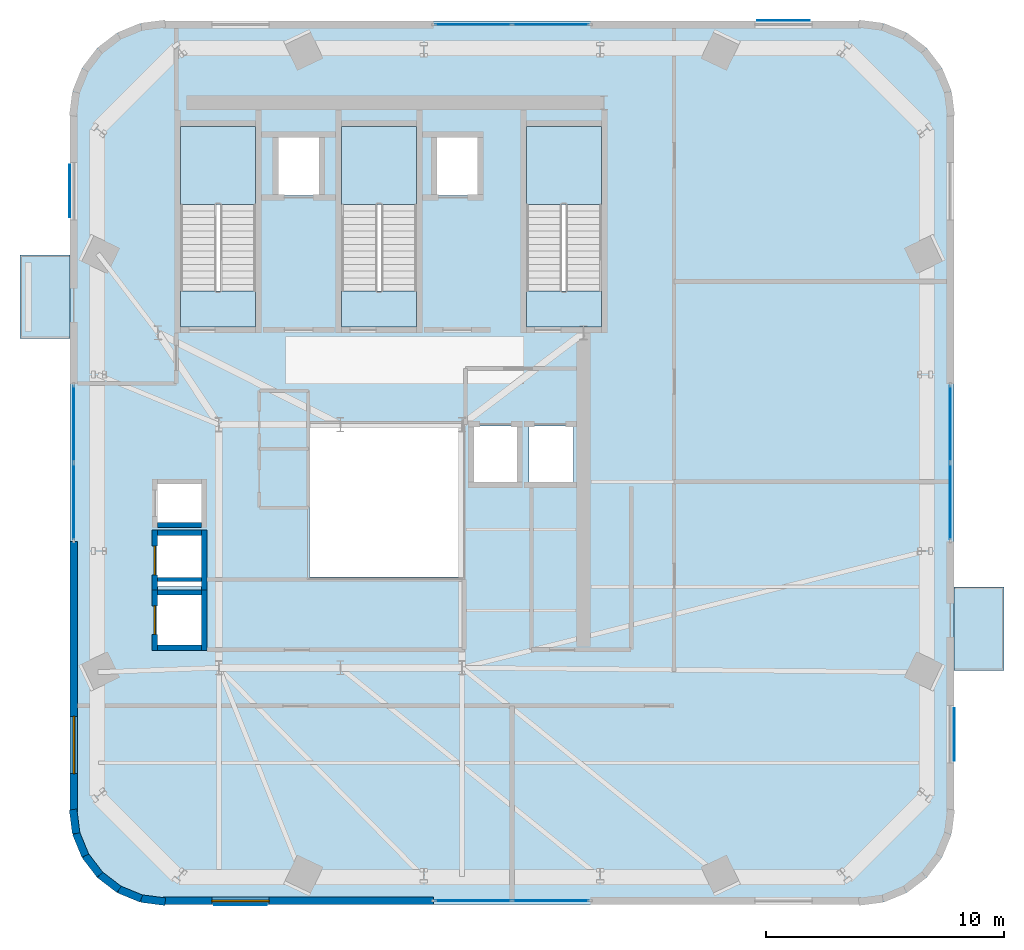
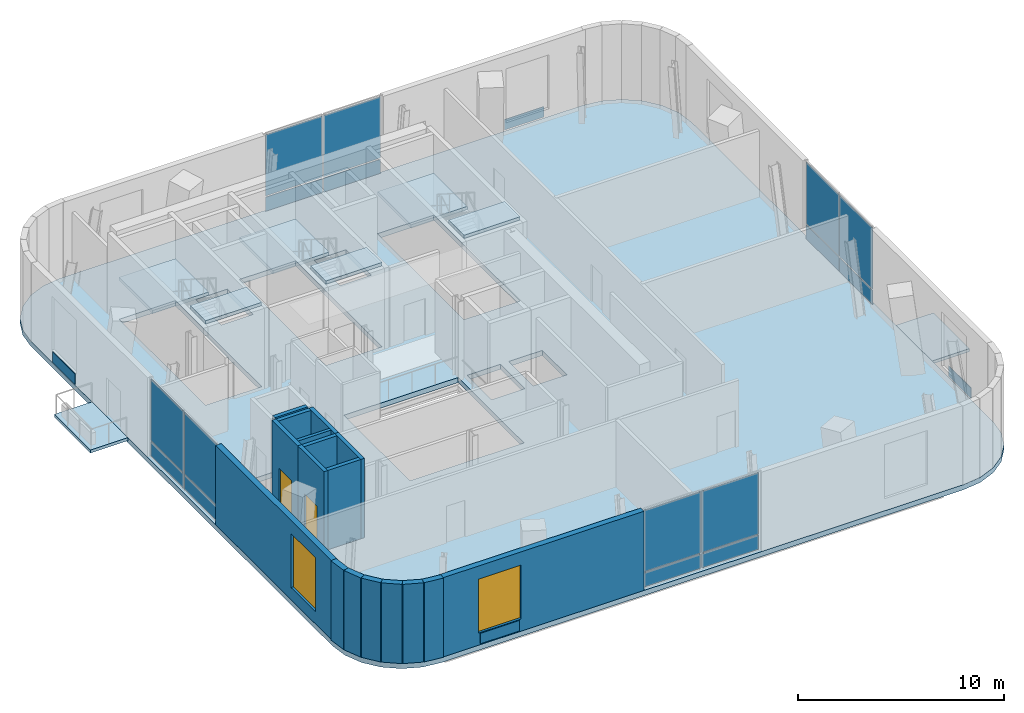
# One storey, part 5 of 10: 20 plates, 17 walls, 9 slabs, 2 doors, 2 windows, 4 openings, 7 elements without a shape of their own.
"""IFC4 building model written with IfcOpenShell, lengths in metres."""

from ifc_helpers import new_model, si_unit, direction, frame, frame_2d, origin, origin_2d, place, context, subcontext, project, spatial, polyline, rectangle, outline, extrude, source, transform, mapped, material, layer, layer_set, type_object, element, fill, aggregate, save


model = new_model("IFC4")

# Units and contexts
model_context = context("Model", 3, precision=1e-05, world=origin(), true_north=direction((0.0, 1.0)))
body_context = subcontext(model_context, "Body", "Model", "MODEL_VIEW")
ifc_project = project(units=[si_unit("LENGTHUNIT", "METRE"), si_unit("AREAUNIT", "SQUARE_METRE"), si_unit("VOLUMEUNIT", "CUBIC_METRE"), si_unit("PLANEANGLEUNIT", "RADIAN"), si_unit("MASSUNIT", "GRAM", prefix="KILO")], contexts=[model_context])

# Site, building, storey
site_placement = place(None, origin())
site = spatial("IfcSite", under=ifc_project, at=site_placement, CompositionType="ELEMENT")
building_placement = place(site_placement, origin())
building = spatial("IfcBuilding", under=site, at=building_placement, Name="Vardaveli Station Tower", CompositionType="ELEMENT")
storey_placement = place(building_placement, frame((0.0, 0.0, 291.14990234375)))
storey = spatial("IfcBuildingStorey", under=building, at=storey_placement, Name="L74", CompositionType="ELEMENT", Elevation=291.14990234375)

# Stair, slabs
ifc_material_1 = material(Name="Concrete C40/50", Category="concrete")
stair_type = type_object("IfcStairType", Name="STR-CORE-1500", PredefinedType="HALF_TURN_STAIR", material=ifc_material_1)
stair_1_placement = place(storey_placement, origin())
stair_1 = element("IfcStair", 1, at=stair_1_placement, inside=storey, type_object=stair_type, Name="L74 ST-1", PredefinedType="HALF_TURN_STAIR")
ifc_layer_1 = layer(ifc_material_1, 0.199951171875, Name="Concrete C40/50")
ifc_layer_set_1 = layer_set([ifc_layer_1], Name="Concrete C40/50")
slab_type_1 = type_object("IfcSlabType", Name="SLB-LAND-200", PredefinedType="LANDING", material=ifc_layer_set_1)
slab_1_placement = place(storey_placement, frame((0.0, 0.0, 2.300048828125)))
slab_1 = element("IfcSlab", 2, at=slab_1_placement, type_object=slab_type_1, Name="ST-1 landing 1", PredefinedType="LANDING", context=body_context, shape_type="SweptSolid", body=[
    extrude(outline(polyline([(32.75, 36.0400390625), (32.75, 39.300048828125), (29.60009765625, 39.300048828125), (29.60009765625, 36.0400390625), (32.75, 36.0400390625)])), origin(), (0.0, 0.0, 1.0), 0.199951171875),
])
slab_2_placement = place(storey_placement, frame((0.0, 0.0, 4.800048828125)))
slab_2 = element("IfcSlab", 3, at=slab_2_placement, type_object=slab_type_1, Name="ST-1 landing 2", PredefinedType="LANDING", context=body_context, shape_type="SweptSolid", body=[
    extrude(outline(polyline([(32.75, 30.89990234375), (32.75, 32.39990234375), (29.60009765625, 32.39990234375), (29.60009765625, 30.89990234375), (32.75, 30.89990234375)])), origin(), (0.0, 0.0, 1.0), 0.199951171875),
])
aggregate(stair_1, [slab_1, slab_2])

stair_2_placement = place(storey_placement, origin())
stair_2 = element("IfcStair", 4, at=stair_2_placement, inside=storey, type_object=stair_type, Name="L74 ST-2", PredefinedType="HALF_TURN_STAIR")
slab_3_placement = place(storey_placement, frame((0.0, 0.0, 2.300048828125)))
slab_3 = element("IfcSlab", 5, at=slab_3_placement, type_object=slab_type_1, Name="ST-2 landing 1", PredefinedType="LANDING", context=body_context, shape_type="SweptSolid", body=[
    extrude(outline(polyline([(39.5, 36.0400390625), (39.5, 39.300048828125), (36.35009765625, 39.300048828125), (36.35009765625, 36.0400390625), (39.5, 36.0400390625)])), origin(), (0.0, 0.0, 1.0), 0.199951171875),
])
slab_4_placement = place(storey_placement, frame((0.0, 0.0, 4.800048828125)))
slab_4 = element("IfcSlab", 6, at=slab_4_placement, type_object=slab_type_1, Name="ST-2 landing 2", PredefinedType="LANDING", context=body_context, shape_type="SweptSolid", body=[
    extrude(outline(polyline([(39.5, 30.89990234375), (39.5, 32.39990234375), (36.35009765625, 32.39990234375), (36.35009765625, 30.89990234375), (39.5, 30.89990234375)])), origin(), (0.0, 0.0, 1.0), 0.199951171875),
])
aggregate(stair_2, [slab_3, slab_4])

stair_3_placement = place(storey_placement, origin())
stair_3 = element("IfcStair", 7, at=stair_3_placement, inside=storey, type_object=stair_type, Name="L74 ST-3", PredefinedType="HALF_TURN_STAIR")
slab_5_placement = place(storey_placement, frame((0.0, 0.0, 2.300048828125)))
slab_5 = element("IfcSlab", 8, at=slab_5_placement, type_object=slab_type_1, Name="ST-3 landing 1", PredefinedType="LANDING", context=body_context, shape_type="SweptSolid", body=[
    extrude(outline(polyline([(47.25, 36.0400390625), (47.25, 39.300048828125), (44.10009765625, 39.300048828125), (44.10009765625, 36.0400390625), (47.25, 36.0400390625)])), origin(), (0.0, 0.0, 1.0), 0.199951171875),
])
slab_6_placement = place(storey_placement, frame((0.0, 0.0, 4.800048828125)))
slab_6 = element("IfcSlab", 9, at=slab_6_placement, type_object=slab_type_1, Name="ST-3 landing 2", PredefinedType="LANDING", context=body_context, shape_type="SweptSolid", body=[
    extrude(outline(polyline([(47.25, 30.89990234375), (47.25, 32.39990234375), (44.10009765625, 32.39990234375), (44.10009765625, 30.89990234375), (47.25, 30.89990234375)])), origin(), (0.0, 0.0, 1.0), 0.199951171875),
])
aggregate(stair_3, [slab_5, slab_6])

# Slabs
ifc_material_2 = material(Name="Precast concrete C45/55", Category="concrete")
ifc_layer_2 = layer(ifc_material_2, 0.179931640625, Name="Precast concrete C45/55")
ifc_layer_set_2 = layer_set([ifc_layer_2], Name="Precast concrete C45/55")
slab_type_2 = type_object("IfcSlabType", Name="SLB-LOGGIA-180", PredefinedType="FLOOR", material=ifc_layer_set_2)
slab_7_placement = place(storey_placement, frame((0.0, 0.0, -0.179931640625)))
element("IfcSlab", 10, at=slab_7_placement, inside=storey, type_object=slab_type_2, Name="LOG-L74-W", PredefinedType="FLOOR", context=body_context, shape_type="SweptSolid", body=[
    extrude(outline(polyline([(22.860107421875, 30.406494140625), (24.9599609375, 30.406494140625), (24.9599609375, 33.906494140625), (22.860107421875, 33.906494140625), (22.860107421875, 30.406494140625)])), origin(), (0.0, 0.0, 1.0), 0.179931640625),
])
slab_8_placement = place(storey_placement, frame((0.0, 0.0, -0.179931640625)))
element("IfcSlab", 11, at=slab_8_placement, inside=storey, type_object=slab_type_2, Name="LOG-L74-E", PredefinedType="FLOOR", context=body_context, shape_type="SweptSolid", body=[
    extrude(outline(polyline([(62.0400390625, 16.49365234375), (64.139892578125, 16.49365234375), (64.139892578125, 19.99365234375), (62.0400390625, 19.99365234375), (62.0400390625, 16.49365234375)])), origin(), (0.0, 0.0, 1.0), 0.179931640625),
])
ifc_material_3 = material(Name="Concrete C50/60", Category="concrete")
ifc_layer_3 = layer(ifc_material_3, 0.300048828125, Name="Concrete C50/60")
ifc_layer_set_3 = layer_set([ifc_layer_3], Name="Concrete C50/60")
slab_type_3 = type_object("IfcSlabType", Name="SLB-REF-300", PredefinedType="FLOOR", material=ifc_layer_set_3)
slab_9_placement = place(storey_placement, frame((0.0, 0.0, -0.2998046875)))
element("IfcSlab", 12, at=slab_9_placement, inside=storey, type_object=slab_type_3, Name="SLB-L74-MAIN", PredefinedType="FLOOR", context=body_context, shape_type="SweptSolid", body=[
    extrude(outline(polyline([(24.9599609375, 10.552978515625), (25.092529296875, 9.54541015625), (25.4814453125, 8.6064453125), (26.100341796875, 7.80029296875), (26.906494140625, 7.181640625), (27.845458984375, 6.792724609375), (28.85302734375, 6.659912109375), (58.14697265625, 6.659912109375), (59.154541015625, 6.792724609375), (60.093505859375, 7.181640625), (60.899658203125, 7.80029296875), (61.5185546875, 8.6064453125), (61.907470703125, 9.54541015625), (62.0400390625, 10.552978515625), (62.0400390625, 39.846923828125), (61.907470703125, 40.8544921875), (61.5185546875, 41.79345703125), (60.899658203125, 42.599853515625), (60.093505859375, 43.218505859375), (59.154541015625, 43.607421875), (58.14697265625, 43.739990234375), (28.85302734375, 43.739990234375), (27.845458984375, 43.607421875), (26.906494140625, 43.218505859375), (26.100341796875, 42.599853515625), (25.4814453125, 41.79345703125), (25.092529296875, 40.8544921875), (24.9599609375, 39.846923828125), (24.9599609375, 10.552978515625)]), holes=[polyline([(35.0, 20.39990234375), (41.39990234375, 20.39990234375), (41.39990234375, 26.800048828125), (35.0, 26.800048828125), (35.0, 20.39990234375)]), polyline([(32.75, 30.89990234375), (32.75, 39.300048828125), (29.60009765625, 39.300048828125), (29.60009765625, 30.89990234375), (32.75, 30.89990234375)]), polyline([(39.5, 30.89990234375), (39.5, 39.300048828125), (36.35009765625, 39.300048828125), (36.35009765625, 30.89990234375), (39.5, 30.89990234375)]), polyline([(47.25, 30.89990234375), (47.25, 39.300048828125), (44.10009765625, 39.300048828125), (44.10009765625, 30.89990234375), (47.25, 30.89990234375)]), polyline([(33.659912109375, 36.409912109375), (35.43994140625, 36.409912109375), (35.43994140625, 38.889892578125), (33.659912109375, 38.889892578125), (33.659912109375, 36.409912109375)]), polyline([(40.31005859375, 36.409912109375), (42.090087890625, 36.409912109375), (42.090087890625, 38.889892578125), (40.31005859375, 38.889892578125), (40.31005859375, 36.409912109375)]), polyline([(28.5849609375, 17.510009765625), (30.514892578125, 17.510009765625), (30.514892578125, 19.68994140625), (28.5849609375, 19.68994140625), (28.5849609375, 17.510009765625)]), polyline([(28.5849609375, 20.010009765625), (30.514892578125, 20.010009765625), (30.514892578125, 22.18994140625), (28.5849609375, 22.18994140625), (28.5849609375, 20.010009765625)]), polyline([(28.5849609375, 22.659912109375), (30.514892578125, 22.659912109375), (30.514892578125, 24.340087890625), (28.5849609375, 24.340087890625), (28.5849609375, 22.659912109375)]), polyline([(41.860107421875, 24.360107421875), (43.739990234375, 24.360107421875), (43.739990234375, 26.739990234375), (41.860107421875, 26.739990234375), (41.860107421875, 24.360107421875)]), polyline([(44.2099609375, 24.360107421875), (46.090087890625, 24.360107421875), (46.090087890625, 26.739990234375), (44.2099609375, 26.739990234375), (44.2099609375, 24.360107421875)])]), origin(), (0.0, 0.0, 1.0), 0.2998046875),
])

# Plates
ifc_material_4 = material(Name="Honed Caucasian travertine stone", Category="masonry")
ifc_layer_4 = layer(ifc_material_4, 0.034912109375, Name="Honed Caucasian travertine stone")
ifc_layer_set_4 = layer_set([ifc_layer_4], Name="Honed Caucasian travertine stone")
plate_type_1 = type_object("IfcPlateType", Name="PLT-TRAV-35", PredefinedType="SHEET", material=ifc_layer_set_4)
shared_shape_1 = source(origin(), body_context, "Body", "SweptSolid", [
    extrude(rectangle(XDim=2.199951171875, YDim=0.034912109375, at=origin_2d()), origin(), (0.0, 0.0, 1.0), 0.6201171875),
])
for number, where, z_axis, x_axis, name in (
    (13, (32.107421875, 6.650390625, 0.070068359375), (0.0, 0.0, 1.0), (1.0, 0.0, 0.0), "PLT-TR-L74-S"),
    (14, (54.892578125, 43.74951171875, 0.070068359375), (0.0, 0.0, 1.0), (1.0, 0.0, 0.0), "PLT-TR-L74-N"),
    (15, (24.950439453125, 36.592529296875, 0.070068359375), (0.0, 0.0, 1.0), (0.0, 1.0, 0.0), "PLT-TR-L74-W"),
    (16, (62.049560546875, 13.807373046875, 0.070068359375), (0.0, 0.0, 1.0), (0.0, 1.0, 0.0), "PLT-TR-L74-E"),
):
    element("IfcPlate", number, at=place(storey_placement, frame(where, z_axis=z_axis, x_axis=x_axis)), inside=storey, type_object=plate_type_1, Name=name, PredefinedType="SHEET", context=body_context, shape_type="MappedRepresentation", body=[
        mapped(shared_shape_1, transform((0.0, 0.0, 0.0), scale=1.0)),
    ])

# Curtain wall, plates
ifc_material_5 = material(Name="Travertine stone and solar-control glass", Category="masonry")
curtain_wall_type = type_object("IfcCurtainWallType", Name="CW-SYS-5", PredefinedType="NOTDEFINED", material=ifc_material_5)
curtain_wall_1_placement = place(storey_placement, origin())
curtain_wall_1 = element("IfcCurtainWall", 17, at=curtain_wall_1_placement, inside=storey, type_object=curtain_wall_type, Name="CW-L74-S", PredefinedType="NOTDEFINED")
ifc_material_6 = material(Name="Double-glazed low-E solar-control glass", Category="glass")
ifc_layer_5 = layer(ifc_material_6, 0.031982421875, Name="Double-glazed low-E solar-control glass")
ifc_layer_set_5 = layer_set([ifc_layer_5], Name="Double-glazed low-E solar-control glass")
plate_type_2 = type_object("IfcPlateType", Name="CW-SYS-5-PAN", PredefinedType="CURTAIN_PANEL", material=ifc_layer_set_5)
shared_shape_2 = source(origin(), body_context, "Body", "SweptSolid", [
    extrude(rectangle(XDim=3.179931640625, YDim=0.031982421875, at=origin_2d()), origin(), (0.0, 0.0, 1.0), 0.830078125),
])
plate_1_placement = place(storey_placement, frame((41.8701171875, 6.820068359375, 0.080078125), z_axis=(0.0, 0.0, 1.0), x_axis=(1.0, 0.0, 0.0)))
plate_1 = element("IfcPlate", 18, at=plate_1_placement, type_object=plate_type_2, Name="CW-5 panel 1.1", PredefinedType="CURTAIN_PANEL", context=body_context, shape_type="MappedRepresentation", body=[
    mapped(shared_shape_2, transform((0.0, 0.0, 0.0), scale=1.0)),
])
plate_2_placement = place(storey_placement, frame((45.1298828125, 6.820068359375, 0.080078125), z_axis=(0.0, 0.0, 1.0), x_axis=(1.0, 0.0, 0.0)))
plate_2 = element("IfcPlate", 19, at=plate_2_placement, type_object=plate_type_2, Name="CW-5 panel 2.1", PredefinedType="CURTAIN_PANEL", context=body_context, shape_type="MappedRepresentation", body=[
    mapped(shared_shape_2, transform((0.0, 0.0, 0.0), scale=1.0)),
])

curtain_wall_2_placement = place(storey_placement, origin())
curtain_wall_2 = element("IfcCurtainWall", 20, at=curtain_wall_2_placement, inside=storey, type_object=curtain_wall_type, Name="CW-L74-N", PredefinedType="NOTDEFINED")
plate_3_placement = place(storey_placement, frame((45.1298828125, 43.580078125, 0.080078125), z_axis=(0.0, 0.0, 1.0), x_axis=(-1.0, 0.0, 0.0)))
plate_3 = element("IfcPlate", 21, at=plate_3_placement, type_object=plate_type_2, Name="CW-5 panel 1.1", PredefinedType="CURTAIN_PANEL", context=body_context, shape_type="MappedRepresentation", body=[
    mapped(shared_shape_2, transform((0.0, 0.0, 0.0), scale=1.0)),
])
plate_4_placement = place(storey_placement, frame((41.8701171875, 43.580078125, 0.080078125), z_axis=(0.0, 0.0, 1.0), x_axis=(-1.0, 0.0, 0.0)))
plate_4 = element("IfcPlate", 22, at=plate_4_placement, type_object=plate_type_2, Name="CW-5 panel 2.1", PredefinedType="CURTAIN_PANEL", context=body_context, shape_type="MappedRepresentation", body=[
    mapped(shared_shape_2, transform((0.0, 0.0, 0.0), scale=1.0)),
])

curtain_wall_3_placement = place(storey_placement, origin())
curtain_wall_3 = element("IfcCurtainWall", 23, at=curtain_wall_3_placement, inside=storey, type_object=curtain_wall_type, Name="CW-L74-W", PredefinedType="NOTDEFINED")
plate_5_placement = place(storey_placement, frame((25.1201171875, 26.830078125, 0.080078125), z_axis=(0.0, 0.0, 1.0), x_axis=(0.0, -1.0, 0.0)))
plate_5 = element("IfcPlate", 24, at=plate_5_placement, type_object=plate_type_2, Name="CW-5 panel 1.1", PredefinedType="CURTAIN_PANEL", context=body_context, shape_type="MappedRepresentation", body=[
    mapped(shared_shape_2, transform((0.0, 0.0, 0.0), scale=1.0)),
])
plate_6_placement = place(storey_placement, frame((25.1201171875, 23.570068359375, 0.080078125), z_axis=(0.0, 0.0, 1.0), x_axis=(0.0, -1.0, 0.0)))
plate_6 = element("IfcPlate", 25, at=plate_6_placement, type_object=plate_type_2, Name="CW-5 panel 2.1", PredefinedType="CURTAIN_PANEL", context=body_context, shape_type="MappedRepresentation", body=[
    mapped(shared_shape_2, transform((0.0, 0.0, 0.0), scale=1.0)),
])

curtain_wall_4_placement = place(storey_placement, origin())
curtain_wall_4 = element("IfcCurtainWall", 26, at=curtain_wall_4_placement, inside=storey, type_object=curtain_wall_type, Name="CW-L74-E", PredefinedType="NOTDEFINED")
plate_7_placement = place(storey_placement, frame((61.8798828125, 23.570068359375, 0.080078125), z_axis=(0.0, 0.0, 1.0), x_axis=(0.0, 1.0, 0.0)))
plate_7 = element("IfcPlate", 27, at=plate_7_placement, type_object=plate_type_2, Name="CW-5 panel 1.1", PredefinedType="CURTAIN_PANEL", context=body_context, shape_type="MappedRepresentation", body=[
    mapped(shared_shape_2, transform((0.0, 0.0, 0.0), scale=1.0)),
])
plate_8_placement = place(storey_placement, frame((61.8798828125, 26.830078125, 0.080078125), z_axis=(0.0, 0.0, 1.0), x_axis=(0.0, 1.0, 0.0)))
plate_8 = element("IfcPlate", 28, at=plate_8_placement, type_object=plate_type_2, Name="CW-5 panel 2.1", PredefinedType="CURTAIN_PANEL", context=body_context, shape_type="MappedRepresentation", body=[
    mapped(shared_shape_2, transform((0.0, 0.0, 0.0), scale=1.0)),
])

# Plate
shared_shape_3 = source(origin(), body_context, "Body", "SweptSolid", [
    extrude(rectangle(XDim=3.179931640625, YDim=0.031982421875, at=origin_2d()), origin(), (0.0, 0.0, 1.0), 3.6298828125),
])
plate_9_placement = place(storey_placement, frame((41.8701171875, 6.820068359375, 0.990234375), z_axis=(0.0, 0.0, 1.0), x_axis=(1.0, 0.0, 0.0)))
plate_9 = element("IfcPlate", 29, at=plate_9_placement, type_object=plate_type_2, Name="CW-5 panel 1.2", PredefinedType="CURTAIN_PANEL", context=body_context, shape_type="MappedRepresentation", body=[
    mapped(shared_shape_3, transform((0.0, 0.0, 0.0), scale=1.0)),
])

plate_10_placement = place(storey_placement, frame((45.1298828125, 6.820068359375, 0.990234375), z_axis=(0.0, 0.0, 1.0), x_axis=(1.0, 0.0, 0.0)))
plate_10 = element("IfcPlate", 30, at=plate_10_placement, type_object=plate_type_2, Name="CW-5 panel 2.2", PredefinedType="CURTAIN_PANEL", context=body_context, shape_type="MappedRepresentation", body=[
    mapped(shared_shape_3, transform((0.0, 0.0, 0.0), scale=1.0)),
])

aggregate(curtain_wall_1, [plate_1, plate_9, plate_2, plate_10])

plate_11_placement = place(storey_placement, frame((45.1298828125, 43.580078125, 0.990234375), z_axis=(0.0, 0.0, 1.0), x_axis=(-1.0, 0.0, 0.0)))
plate_11 = element("IfcPlate", 31, at=plate_11_placement, type_object=plate_type_2, Name="CW-5 panel 1.2", PredefinedType="CURTAIN_PANEL", context=body_context, shape_type="MappedRepresentation", body=[
    mapped(shared_shape_3, transform((0.0, 0.0, 0.0), scale=1.0)),
])

plate_12_placement = place(storey_placement, frame((41.8701171875, 43.580078125, 0.990234375), z_axis=(0.0, 0.0, 1.0), x_axis=(-1.0, 0.0, 0.0)))
plate_12 = element("IfcPlate", 32, at=plate_12_placement, type_object=plate_type_2, Name="CW-5 panel 2.2", PredefinedType="CURTAIN_PANEL", context=body_context, shape_type="MappedRepresentation", body=[
    mapped(shared_shape_3, transform((0.0, 0.0, 0.0), scale=1.0)),
])

aggregate(curtain_wall_2, [plate_3, plate_11, plate_4, plate_12])

plate_13_placement = place(storey_placement, frame((25.1201171875, 26.830078125, 0.990234375), z_axis=(0.0, 0.0, 1.0), x_axis=(0.0, -1.0, 0.0)))
plate_13 = element("IfcPlate", 33, at=plate_13_placement, type_object=plate_type_2, Name="CW-5 panel 1.2", PredefinedType="CURTAIN_PANEL", context=body_context, shape_type="MappedRepresentation", body=[
    mapped(shared_shape_3, transform((0.0, 0.0, 0.0), scale=1.0)),
])

plate_14_placement = place(storey_placement, frame((25.1201171875, 23.570068359375, 0.990234375), z_axis=(0.0, 0.0, 1.0), x_axis=(0.0, -1.0, 0.0)))
plate_14 = element("IfcPlate", 34, at=plate_14_placement, type_object=plate_type_2, Name="CW-5 panel 2.2", PredefinedType="CURTAIN_PANEL", context=body_context, shape_type="MappedRepresentation", body=[
    mapped(shared_shape_3, transform((0.0, 0.0, 0.0), scale=1.0)),
])

aggregate(curtain_wall_3, [plate_5, plate_13, plate_6, plate_14])

plate_15_placement = place(storey_placement, frame((61.8798828125, 23.570068359375, 0.990234375), z_axis=(0.0, 0.0, 1.0), x_axis=(0.0, 1.0, 0.0)))
plate_15 = element("IfcPlate", 35, at=plate_15_placement, type_object=plate_type_2, Name="CW-5 panel 1.2", PredefinedType="CURTAIN_PANEL", context=body_context, shape_type="MappedRepresentation", body=[
    mapped(shared_shape_3, transform((0.0, 0.0, 0.0), scale=1.0)),
])

plate_16_placement = place(storey_placement, frame((61.8798828125, 26.830078125, 0.990234375), z_axis=(0.0, 0.0, 1.0), x_axis=(0.0, 1.0, 0.0)))
plate_16 = element("IfcPlate", 36, at=plate_16_placement, type_object=plate_type_2, Name="CW-5 panel 2.2", PredefinedType="CURTAIN_PANEL", context=body_context, shape_type="MappedRepresentation", body=[
    mapped(shared_shape_3, transform((0.0, 0.0, 0.0), scale=1.0)),
])

aggregate(curtain_wall_4, [plate_7, plate_15, plate_8, plate_16])

# Wall, opening, window
ifc_layer_6 = layer(ifc_material_2, 0.320068359375, Name="Precast concrete C45/55")
ifc_layer_set_6 = layer_set([ifc_layer_6], Name="Precast concrete C45/55")
wall_type_1 = type_object("IfcWallType", Name="WAL-EXT-STONE-320", PredefinedType="SOLIDWALL", material=ifc_layer_set_6)
shared_shape_4 = source(origin(), body_context, "Body", "SweptSolid", [
    extrude(rectangle(XDim=11.346923828125, YDim=0.320068359375, at=frame_2d((5.67333984375, 0.0))), origin(), (0.0, 0.0, 1.0), 4.7001953125),
])
wall_1_placement = place(storey_placement, frame((28.85302734375, 6.820068359375, 0.0), z_axis=(0.0, 0.0, 1.0), x_axis=(1.0, 0.0, 0.0)))
wall_1 = element("IfcWall", 37, at=wall_1_placement, inside=storey, type_object=wall_type_1, Name="EW-L74-S1", PredefinedType="SOLIDWALL", context=body_context, shape_type="MappedRepresentation", body=[
    mapped(shared_shape_4, transform((0.0, 0.0, 0.0), scale=1.0)),
])
shared_shape_5 = source(origin(), body_context, "Body", "SweptSolid", [
    extrude(rectangle(XDim=2.39990234375, YDim=3.199951171875, at=frame_2d((1.199951171875, 1.60009765625))), frame((0.0, 0.169921875, 0.0), z_axis=(0.0, -1.0, 0.0), x_axis=(1.0, 0.0, 0.0)), (0.0, 0.0, 1.0), 0.340087890625),
])
opening_1_placement = place(wall_1_placement, frame((2.054443359375, 0.0, 0.719970703125)))
opening_1 = element("IfcOpeningElement", 38, at=opening_1_placement, cuts=wall_1, Name="Opening W-06", PredefinedType="OPENING", context=body_context, shape_type="MappedRepresentation", body=[
    mapped(shared_shape_5, transform((0.0, 0.0, 0.0), scale=1.0)),
])
ifc_material_7 = material(Name="Low-iron tempered belvedere glass", Category="glass")
window_type = type_object("IfcWindowType", Name="WIN-OBS-2400x3200", PartitioningType="SINGLE_PANEL", PredefinedType="WINDOW", material=ifc_material_7)
shared_shape_6 = source(origin(), body_context, "Body", "SweptSolid", [
    extrude(rectangle(XDim=2.39990234375, YDim=3.199951171875, at=frame_2d((1.199951171875, 1.60009765625))), frame((0.0, 0.030029296875, 0.0), z_axis=(0.0, -1.0, 0.0), x_axis=(1.0, 0.0, 0.0)), (0.0, 0.0, 1.0), 0.06005859375),
])
window_1_placement = place(opening_1_placement, origin())
window_1 = element("IfcWindow", 39, at=window_1_placement, inside=storey, type_object=window_type, Name="WN-L74-S1", OverallHeight=3.199951171875, OverallWidth=2.39990234375, PartitioningType="SINGLE_PANEL", PredefinedType="WINDOW", context=body_context, shape_type="MappedRepresentation", body=[
    mapped(shared_shape_6, transform((0.0, 0.0, 0.0), scale=1.0)),
])
fill(opening_1, window_1)

wall_2_placement = place(storey_placement, frame((25.1201171875, 21.89990234375, 0.0), z_axis=(0.0, 0.0, 1.0), x_axis=(0.0, -1.0, 0.0)))
wall_2 = element("IfcWall", 40, at=wall_2_placement, inside=storey, type_object=wall_type_1, Name="EW-L74-W2", PredefinedType="SOLIDWALL", context=body_context, shape_type="MappedRepresentation", body=[
    mapped(shared_shape_4, transform((0.0, 0.0, 0.0), scale=1.0)),
])
opening_2_placement = place(wall_2_placement, frame((7.342529296875, 0.0, 0.719970703125)))
opening_2 = element("IfcOpeningElement", 41, at=opening_2_placement, cuts=wall_2, Name="Opening W-06", PredefinedType="OPENING", context=body_context, shape_type="MappedRepresentation", body=[
    mapped(shared_shape_5, transform((0.0, 0.0, 0.0), scale=1.0)),
])
window_2_placement = place(opening_2_placement, origin())
window_2 = element("IfcWindow", 42, at=window_2_placement, inside=storey, type_object=window_type, Name="WN-L74-W2", OverallHeight=3.199951171875, OverallWidth=2.39990234375, PartitioningType="SINGLE_PANEL", PredefinedType="WINDOW", context=body_context, shape_type="MappedRepresentation", body=[
    mapped(shared_shape_6, transform((0.0, 0.0, 0.0), scale=1.0)),
])
fill(opening_2, window_2)

# Walls
shared_shape_7 = source(origin(), body_context, "Body", "SweptSolid", [
    extrude(rectangle(XDim=1.01123046875, YDim=0.320068359375, at=frame_2d((0.505615234375, 0.0))), origin(), (0.0, 0.0, 1.0), 4.7001953125),
])
wall_3_placement = place(storey_placement, frame((25.08544921875, 10.652099609375, 0.0), z_axis=(0.0, 0.0, 1.0), x_axis=(0.127718532165, -0.991810453938, 0.0)))
element("IfcWall", 43, at=wall_3_placement, inside=storey, type_object=wall_type_1, Name="EW-L74-CR1-1", PredefinedType="SOLIDWALL", context=body_context, shape_type="MappedRepresentation", body=[
    mapped(shared_shape_7, transform((0.0, 0.0, 0.0), scale=1.0)),
])
shared_shape_8 = source(origin(), body_context, "Body", "SweptSolid", [
    extrude(rectangle(XDim=1.010498046875, YDim=0.320068359375, at=frame_2d((0.50537109375, 0.0))), origin(), (0.0, 0.0, 1.0), 4.7001953125),
])
wall_4_placement = place(storey_placement, frame((25.214599609375, 9.649169921875, 0.0), z_axis=(0.0, 0.0, 1.0), x_axis=(0.380786261757, -0.924663086133, 0.0)))
element("IfcWall", 44, at=wall_4_placement, inside=storey, type_object=wall_type_1, Name="EW-L74-CR1-2", PredefinedType="SOLIDWALL", context=body_context, shape_type="MappedRepresentation", body=[
    mapped(shared_shape_8, transform((0.0, 0.0, 0.0), scale=1.0)),
])
shared_shape_9 = source(origin(), body_context, "Body", "SweptSolid", [
    extrude(rectangle(XDim=1.009765625, YDim=0.320068359375, at=frame_2d((0.5048828125, 0.0))), origin(), (0.0, 0.0, 1.0), 4.7001953125),
])
for number, where, z_axis, x_axis, name in (
    (45, (25.599365234375, 8.71484375, 0.0), (0.0, 0.0, 1.0), (0.608131997518, -0.793835923598, 0.0), "EW-L74-CR1-3"),
    (46, (26.21337890625, 7.913330078125, 0.0), (0.0, 0.0, 1.0), (0.793835923598, -0.608131997518, 0.0), "EW-L74-CR1-4"),
):
    element("IfcWall", number, at=place(storey_placement, frame(where, z_axis=z_axis, x_axis=x_axis)), inside=storey, type_object=wall_type_1, Name=name, PredefinedType="SOLIDWALL", context=body_context, shape_type="MappedRepresentation", body=[
        mapped(shared_shape_9, transform((0.0, 0.0, 0.0), scale=1.0)),
    ])
shared_shape_10 = source(origin(), body_context, "Body", "SweptSolid", [
    extrude(rectangle(XDim=1.01025390625, YDim=0.320068359375, at=frame_2d((0.505126953125, 0.0))), origin(), (0.0, 0.0, 1.0), 4.7001953125),
])
wall_5_placement = place(storey_placement, frame((27.014892578125, 7.29931640625, 0.0), z_axis=(0.0, 0.0, 1.0), x_axis=(0.92462804056, -0.380871351783, 0.0)))
element("IfcWall", 47, at=wall_5_placement, inside=storey, type_object=wall_type_1, Name="EW-L74-CR1-5", PredefinedType="SOLIDWALL", context=body_context, shape_type="MappedRepresentation", body=[
    mapped(shared_shape_10, transform((0.0, 0.0, 0.0), scale=1.0)),
])
shared_shape_11 = source(origin(), body_context, "Body", "SweptSolid", [
    extrude(rectangle(XDim=1.011474609375, YDim=0.320068359375, at=frame_2d((0.505859375, 0.0))), origin(), (0.0, 0.0, 1.0), 4.7001953125),
])
wall_6_placement = place(storey_placement, frame((27.948974609375, 6.91455078125, 0.0), z_axis=(0.0, 0.0, 1.0), x_axis=(0.991844931851, -0.12745050475, 0.0)))
element("IfcWall", 48, at=wall_6_placement, inside=storey, type_object=wall_type_1, Name="EW-L74-CR1-6", PredefinedType="SOLIDWALL", context=body_context, shape_type="MappedRepresentation", body=[
    mapped(shared_shape_11, transform((0.0, 0.0, 0.0), scale=1.0)),
])
ifc_layer_7 = layer(ifc_material_1, 0.219970703125, Name="Concrete C40/50")
ifc_layer_set_7 = layer_set([ifc_layer_7], Name="Concrete C40/50")
wall_type_2 = type_object("IfcWallType", Name="WAL-FFLOBBY-220", PredefinedType="SOLIDWALL", material=ifc_layer_set_7)
shared_shape_12 = source(origin(), body_context, "Body", "SweptSolid", [
    extrude(rectangle(XDim=1.85009765625, YDim=0.219970703125, at=frame_2d((0.925048828125, 0.0))), origin(), (0.0, 0.0, 1.0), 4.7001953125),
])
for number, where, z_axis, x_axis, name in (
    (49, (28.625, 17.43994140625, 0.0), (0.0, 0.0, 1.0), (1.0, 0.0, 0.0), "SHW-OBS-01-L74-S"),
    (50, (28.625, 19.760009765625, 0.0), (0.0, 0.0, 1.0), (1.0, 0.0, 0.0), "SHW-OBS-01-L74-N"),
    (51, (28.625, 22.260009765625, 0.0), (0.0, 0.0, 1.0), (1.0, 0.0, 0.0), "SHW-OBS-02-L74-N"),
    (52, (28.625, 22.590087890625, 0.0), (0.0, 0.0, 1.0), (1.0, 0.0, 0.0), "SHW-CRN-01-L74-S"),
):
    element("IfcWall", number, at=place(storey_placement, frame(where, z_axis=z_axis, x_axis=x_axis)), inside=storey, type_object=wall_type_2, Name=name, PredefinedType="SOLIDWALL", context=body_context, shape_type="MappedRepresentation", body=[
        mapped(shared_shape_12, transform((0.0, 0.0, 0.0), scale=1.0)),
    ])

# Wall, opening, door
shared_shape_13 = source(origin(), body_context, "Body", "SweptSolid", [
    extrude(rectangle(XDim=2.5400390625, YDim=0.219970703125, at=frame_2d((1.27001953125, 0.0))), origin(), (0.0, 0.0, 1.0), 4.7001953125),
])
wall_7_placement = place(storey_placement, frame((28.514892578125, 17.330078125, 0.0), z_axis=(0.0, 0.0, 1.0), x_axis=(0.0, 1.0, 0.0)))
wall_7 = element("IfcWall", 53, at=wall_7_placement, inside=storey, type_object=wall_type_2, Name="SHW-OBS-01-L74-W", PredefinedType="SOLIDWALL", context=body_context, shape_type="MappedRepresentation", body=[
    mapped(shared_shape_13, transform((0.0, 0.0, 0.0), scale=1.0)),
])
shared_shape_14 = source(origin(), body_context, "Body", "SweptSolid", [
    extrude(rectangle(XDim=1.199951171875, YDim=2.25, at=frame_2d((0.60009765625, 1.125))), frame((0.0, 0.1201171875, 0.0), z_axis=(0.0, -1.0, 0.0), x_axis=(1.0, 0.0, 0.0)), (0.0, 0.0, 1.0), 0.239990234375),
])
opening_3_placement = place(wall_7_placement, frame((0.669921875, 0.0, 0.0)))
opening_3 = element("IfcOpeningElement", 54, at=opening_3_placement, cuts=wall_7, Name="Opening LD-02", PredefinedType="OPENING", context=body_context, shape_type="MappedRepresentation", body=[
    mapped(shared_shape_14, transform((0.0, 0.0, 0.0), scale=1.0)),
])
ifc_material_8 = material(Name="Brushed stainless steel", Category="steel")
door_type = type_object("IfcDoorType", Name="DR-LD-1200x2250", OperationType="DOUBLE_DOOR_SLIDING", PredefinedType="DOOR", material=ifc_material_8)
shared_shape_15 = source(origin(), body_context, "Body", "SweptSolid", [
    extrude(rectangle(XDim=1.199951171875, YDim=2.25, at=frame_2d((0.60009765625, 1.125))), frame((0.0, 0.02490234375, 0.0), z_axis=(0.0, -1.0, 0.0), x_axis=(1.0, 0.0, 0.0)), (0.0, 0.0, 1.0), 0.050048828125),
])
door_1_placement = place(opening_3_placement, origin())
door_1 = element("IfcDoor", 55, at=door_1_placement, inside=storey, type_object=door_type, Name="LD-OBS-01-L74", OperationType="DOUBLE_DOOR_SLIDING", OverallHeight=2.25, OverallWidth=1.199951171875, PredefinedType="DOOR", context=body_context, shape_type="MappedRepresentation", body=[
    mapped(shared_shape_15, transform((0.0, 0.0, 0.0), scale=1.0)),
])
fill(opening_3, door_1)

# Wall
wall_8_placement = place(storey_placement, frame((30.5849609375, 17.330078125, 0.0), z_axis=(0.0, 0.0, 1.0), x_axis=(0.0, 1.0, 0.0)))
element("IfcWall", 56, at=wall_8_placement, inside=storey, type_object=wall_type_2, Name="SHW-OBS-01-L74-E", PredefinedType="SOLIDWALL", context=body_context, shape_type="MappedRepresentation", body=[
    mapped(shared_shape_13, transform((0.0, 0.0, 0.0), scale=1.0)),
])

# Wall, opening, door
wall_9_placement = place(storey_placement, frame((28.514892578125, 19.830078125, 0.0), z_axis=(0.0, 0.0, 1.0), x_axis=(0.0, 1.0, 0.0)))
wall_9 = element("IfcWall", 57, at=wall_9_placement, inside=storey, type_object=wall_type_2, Name="SHW-OBS-02-L74-W", PredefinedType="SOLIDWALL", context=body_context, shape_type="MappedRepresentation", body=[
    mapped(shared_shape_13, transform((0.0, 0.0, 0.0), scale=1.0)),
])
opening_4_placement = place(wall_9_placement, frame((0.669921875, 0.0, 0.0)))
opening_4 = element("IfcOpeningElement", 58, at=opening_4_placement, cuts=wall_9, Name="Opening LD-02", PredefinedType="OPENING", context=body_context, shape_type="MappedRepresentation", body=[
    mapped(shared_shape_14, transform((0.0, 0.0, 0.0), scale=1.0)),
])
door_2_placement = place(opening_4_placement, origin())
door_2 = element("IfcDoor", 59, at=door_2_placement, inside=storey, type_object=door_type, Name="LD-OBS-02-L74", OperationType="DOUBLE_DOOR_SLIDING", OverallHeight=2.25, OverallWidth=1.199951171875, PredefinedType="DOOR", context=body_context, shape_type="MappedRepresentation", body=[
    mapped(shared_shape_15, transform((0.0, 0.0, 0.0), scale=1.0)),
])
fill(opening_4, door_2)

# Walls
wall_10_placement = place(storey_placement, frame((30.5849609375, 19.830078125, 0.0), z_axis=(0.0, 0.0, 1.0), x_axis=(0.0, 1.0, 0.0)))
element("IfcWall", 60, at=wall_10_placement, inside=storey, type_object=wall_type_2, Name="SHW-OBS-02-L74-E", PredefinedType="SOLIDWALL", context=body_context, shape_type="MappedRepresentation", body=[
    mapped(shared_shape_13, transform((0.0, 0.0, 0.0), scale=1.0)),
])
ifc_material_9 = material(Name="Fire-rated gypsum stud partition")
ifc_layer_8 = layer(ifc_material_9, 0.179931640625, Name="Fire-rated gypsum stud partition")
ifc_layer_set_8 = layer_set([ifc_layer_8], Name="Fire-rated gypsum stud partition")
wall_type_3 = type_object("IfcWallType", Name="WAL-CORR-180", PredefinedType="PARTITIONING", material=ifc_layer_set_8)
shared_shape_16 = source(origin(), body_context, "Body", "SweptSolid", [
    extrude(rectangle(XDim=1.845947265625, YDim=0.179931640625, at=frame_2d((0.9228515625, 0.0))), origin(), (0.0, 0.0, 1.0), 4.7001953125),
])
wall_11_placement = place(storey_placement, frame((28.626953125, 20.300048828125, 0.0), z_axis=(0.0, 0.0, 1.0), x_axis=(1.0, 0.0, 0.0)))
element("IfcWall", 61, at=wall_11_placement, inside=storey, type_object=wall_type_3, Name="W-L74-OBSA-N-P1", PredefinedType="PARTITIONING", context=body_context, shape_type="MappedRepresentation", body=[
    mapped(shared_shape_16, transform((0.0, 0.0, 0.0), scale=1.0)),
])

save(model, "model.ifc")
